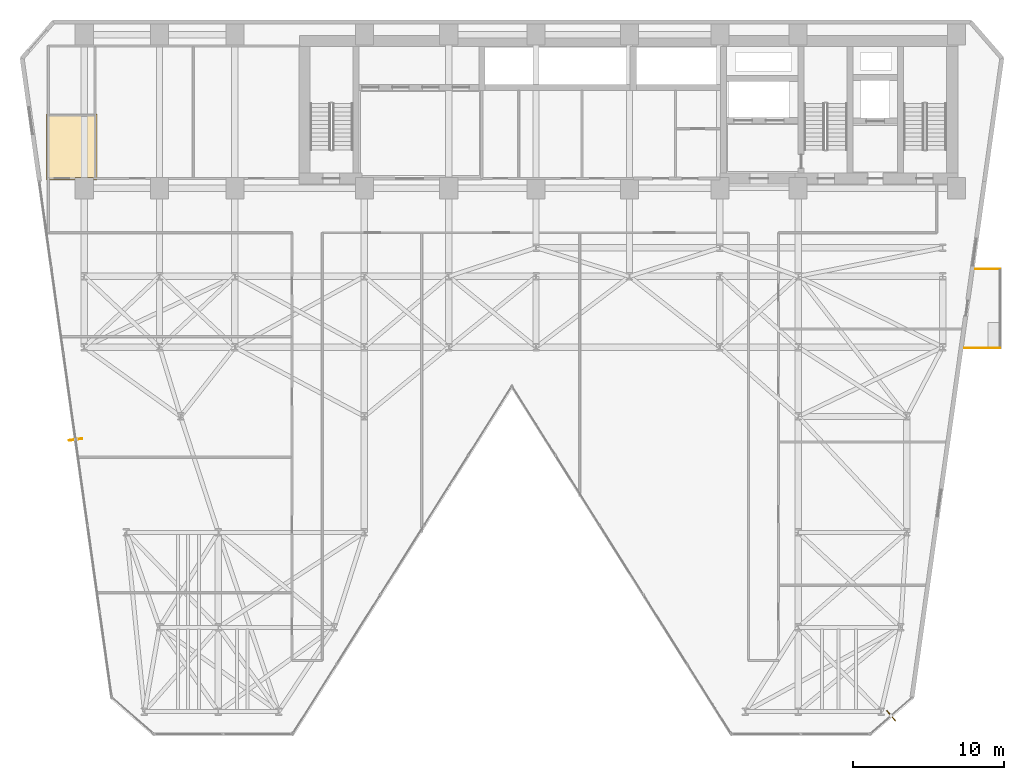
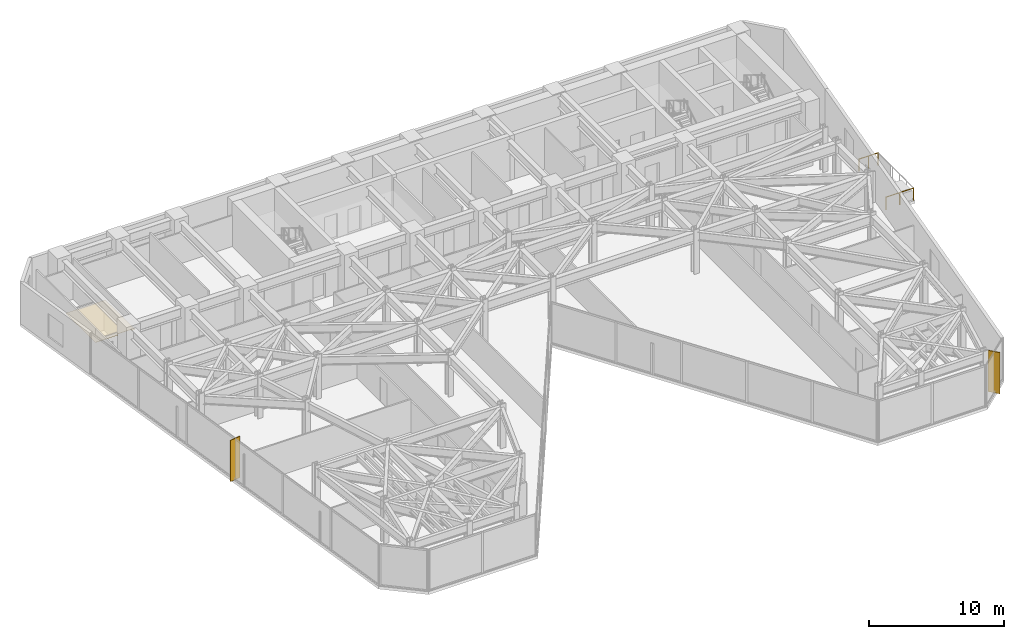
# One storey, part 23 of 25: 2 railings, 2 shading devices, 1 covering.
"""IFC4 building model written with IfcOpenShell, lengths in metres."""

import ifcopenshell
import ifcopenshell.guid

model = None  # the IFC model being written
_history = None  # IfcOwnerHistory: only IFC2X3 demands one
_inside = {}  # id of a spatial element -> (the spatial element, [elements in it])
_under = {}  # id of a project, library or spatial element -> (it, [spatial elements below it])
_declared = {}  # id of a project -> (the project, [libraries it declares])
_typed = {}  # id of a type object -> (the type object, [elements of that type])
_made_of = {}  # id of a material, layer set ... -> (it, [elements and type objects made of it])


def new_model(schema):
    """Start an empty IFC model of exactly this schema.

    Asked for "IFC4X3", IfcOpenShell would pick the latest addendum, in which some entities
    have other attributes; the version numbers below select the first issue.
    IFC2X3 requires an IfcOwnerHistory on every rooted entity: one is made here for all.
    """
    global model, _history
    if schema == "IFC4X3":
        model = ifcopenshell.file(schema_version=(4, 3, 0, 0))
    else:
        model = ifcopenshell.file(schema=schema)
    _inside.clear()
    _under.clear()
    _declared.clear()
    _typed.clear()
    _made_of.clear()
    _history = None
    if model.schema == "IFC2X3":
        org = make("IfcOrganization", Name="unknown")
        user = make(
            "IfcPersonAndOrganization",
            ThePerson=make("IfcPerson", FamilyName="unknown"),
            TheOrganization=org,
        )
        app = make(
            "IfcApplication",
            ApplicationDeveloper=org,
            Version="unknown",
            ApplicationFullName="unknown",
            ApplicationIdentifier="unknown",
        )
        _history = make(
            "IfcOwnerHistory",
            OwningUser=user,
            OwningApplication=app,
            ChangeAction="ADDED",
            CreationDate=0,
        )
    return model


def make(cls, **values):
    """One entity of the class cls with the attributes given. An attribute that is None is left unset."""
    return model.create_entity(
        cls, **{name: value for name, value in values.items() if value is not None}
    )


def rooted(cls, **values):
    """An entity with a GlobalId (a new one), such as an element, a storey or a relation."""
    return make(cls, GlobalId=ifcopenshell.guid.new(), OwnerHistory=_history, **values)


def si_unit(unit_type, name, prefix=None):
    """IfcSIUnit, for example si_unit("LENGTHUNIT", "METRE", prefix="MILLI")."""
    return make("IfcSIUnit", UnitType=unit_type, Prefix=prefix, Name=name)


def assignment(units):
    """IfcUnitAssignment: the units of a project."""
    return None if units is None else make("IfcUnitAssignment", Units=units)


def point(xyz):
    """IfcCartesianPoint."""
    return None if xyz is None else make("IfcCartesianPoint", Coordinates=xyz)


def direction(xyz):
    """IfcDirection."""
    return None if xyz is None else make("IfcDirection", DirectionRatios=xyz)


def frame(location, z_axis=None, x_axis=None):
    """IfcAxis2Placement3D, a coordinate frame: its origin and axes. An axis left out is left unset."""
    return make(
        "IfcAxis2Placement3D",
        Location=point(location),
        Axis=direction(z_axis),
        RefDirection=direction(x_axis),
    )


def frame_2d(location, x_axis=None):
    """IfcAxis2Placement2D, a coordinate frame in the plane: its origin and x axis."""
    return make(
        "IfcAxis2Placement2D", Location=point(location), RefDirection=direction(x_axis)
    )


def origin():
    """The frame at (0, 0, 0) with its axes left unset."""
    return frame((0.0, 0.0, 0.0))


def origin_2d():
    """The frame at (0, 0) in the plane with its x axis left unset."""
    return frame_2d((0.0, 0.0))


def place(relative_to, where):
    """IfcLocalPlacement: puts the frame where relative to a parent placement (None: the world)."""
    return make(
        "IfcLocalPlacement", PlacementRelTo=relative_to, RelativePlacement=where
    )


def context(
    kind, dimensions, precision=None, world=None, true_north=None, identifier=None
):
    """IfcGeometricRepresentationContext, for example the 3D "Model" context."""
    return make(
        "IfcGeometricRepresentationContext",
        ContextIdentifier=identifier,
        ContextType=kind,
        CoordinateSpaceDimension=dimensions,
        Precision=precision,
        WorldCoordinateSystem=world,
        TrueNorth=true_north,
    )


def subcontext(parent, identifier, kind, view, scale=None):
    """IfcGeometricRepresentationSubContext, for example "Body" below "Model"."""
    return make(
        "IfcGeometricRepresentationSubContext",
        ContextIdentifier=identifier,
        ContextType=kind,
        ParentContext=parent,
        TargetScale=scale,
        TargetView=view,
    )


def project(units=None, contexts=None):
    """IfcProject with its units and contexts."""
    return rooted(
        "IfcProject",
        Name="project",
        RepresentationContexts=contexts,
        UnitsInContext=assignment(units),
    )


def spatial(cls, under=None, at=None, **own):
    """A site, building, storey or space (cls), placed at a placement, below another one or the project."""
    s = rooted(cls, ObjectPlacement=at, **own)
    if under is not None:
        _under.setdefault(under.id(), (under, []))[1].append(s)
    return s


def polyline(points):
    """IfcPolyline through the points."""
    return make("IfcPolyline", Points=[point(p) for p in points])


def profile(cls, at=None, kind="AREA", **sizes):
    """A parametric profile (cls). Its sizes go by their IFC names, for example OverallWidth=200.0."""
    return make(cls, ProfileType=kind, Position=at, **sizes)


def rectangle(**sizes):
    """IfcRectangleProfileDef."""
    return profile("IfcRectangleProfileDef", **sizes)


def circle(**sizes):
    """IfcCircleProfileDef."""
    return profile("IfcCircleProfileDef", **sizes)


def outline(outer, holes=None, kind="AREA"):
    """IfcArbitraryClosedProfileDef: a profile drawn as a closed curve; with holes, ...WithVoids."""
    if holes is None:
        return make("IfcArbitraryClosedProfileDef", ProfileType=kind, OuterCurve=outer)
    return make(
        "IfcArbitraryProfileDefWithVoids",
        ProfileType=kind,
        OuterCurve=outer,
        InnerCurves=holes,
    )


def extrude(swept, where, along, depth):
    """IfcExtrudedAreaSolid: the profile swept, set in the frame where, extruded along a direction by depth."""
    return make(
        "IfcExtrudedAreaSolid",
        SweptArea=swept,
        Position=where,
        ExtrudedDirection=direction(along),
        Depth=depth,
    )


def shape(context_of_items, identifier, shape_type, items):
    """IfcShapeRepresentation: the items that make up one representation, for example the "Body"."""
    return make(
        "IfcShapeRepresentation",
        ContextOfItems=context_of_items,
        RepresentationIdentifier=identifier,
        RepresentationType=shape_type,
        Items=items,
    )


def material(Name=None, Category=None):
    """IfcMaterial."""
    return make("IfcMaterial", Name=Name, Category=Category)


def layer(
    of_material, thickness, ventilated=None, Name=None, Category=None, Priority=None
):
    """IfcMaterialLayer: one layer of a wall or slab, of a material (None: an air gap)."""
    return make(
        "IfcMaterialLayer",
        Material=of_material,
        LayerThickness=thickness,
        IsVentilated=ventilated,
        Name=Name,
        Category=Category,
        Priority=Priority,
    )


def layer_set(layers, Name=None):
    """IfcMaterialLayerSet."""
    return make("IfcMaterialLayerSet", MaterialLayers=layers, LayerSetName=Name)


def made_of(thing, what):
    """Note that an element or type object is made of a material, layer set ...; save() writes the relation."""
    if what is not None:
        _made_of.setdefault(what.id(), (what, []))[1].append(thing)
    return thing


def type_object(cls, material=None, **own):
    """A type object (cls), such as IfcWallType, which elements share."""
    return made_of(rooted(cls, **own), material)


def element(
    cls,
    number,
    at=None,
    inside=None,
    cuts=None,
    type_object=None,
    material=None,
    context=None,
    identifier="Body",
    shape_type=None,
    held_by="IfcProductDefinitionShape",
    body=None,
    shapes=None,
    **own,
):
    """One element of the class cls, such as IfcWall. Its Tag is "e" and its number.

    at: its placement. inside: the storey or other place that contains it. cuts: it is an
    opening in that element (IfcRelVoidsElement). A single representation is given by context,
    identifier, shape_type and body (its items); several are given by shapes. held_by: the class
    of the entity that holds the representations. save() writes the other relations.
    """
    e = rooted(cls, Tag="e%d" % number, ObjectPlacement=at, **own)
    if body is not None:
        shapes = [shape(context, identifier, shape_type, body)]
    if shapes is not None:
        e.Representation = make(held_by, Representations=shapes)
    if inside is not None:
        _inside.setdefault(inside.id(), (inside, []))[1].append(e)
    if cuts is not None:
        rooted(
            "IfcRelVoidsElement", RelatingBuildingElement=cuts, RelatedOpeningElement=e
        )
    if type_object is not None:
        _typed.setdefault(type_object.id(), (type_object, []))[1].append(e)
    return made_of(e, material)


def aggregate(whole, parts):
    """IfcRelAggregates: a whole, such as a stair, and the parts it consists of."""
    return rooted("IfcRelAggregates", RelatingObject=whole, RelatedObjects=parts)


def save(model, path):
    """Write the relations noted so far, then the file.

    IfcRelAggregates (storeys below a building ...), IfcRelContainedInSpatialStructure (elements
    in a storey), IfcRelDefinesByType, IfcRelAssociatesMaterial and IfcRelDeclares: one each for
    every whole, place, type object, material and project.
    """
    for whole, parts in _under.values():
        aggregate(whole, parts)
    for where, things in _inside.values():
        rooted(
            "IfcRelContainedInSpatialStructure",
            RelatedElements=things,
            RelatingStructure=where,
        )
    for kind, things in _typed.values():
        rooted("IfcRelDefinesByType", RelatedObjects=things, RelatingType=kind)
    for what, things in _made_of.values():
        rooted("IfcRelAssociatesMaterial", RelatedObjects=things, RelatingMaterial=what)
    for by, libraries in _declared.values():
        rooted("IfcRelDeclares", RelatingContext=by, RelatedDefinitions=libraries)
    model.write(path)


model = new_model("IFC4")

# Units and contexts
model_context = context("Model", 3, precision=1e-05, world=origin(), true_north=direction((0.0, 1.0)))
body_context = subcontext(model_context, "Body", "Model", "MODEL_VIEW")
ifc_project = project(units=[si_unit("LENGTHUNIT", "METRE"), si_unit("AREAUNIT", "SQUARE_METRE"), si_unit("VOLUMEUNIT", "CUBIC_METRE"), si_unit("PLANEANGLEUNIT", "RADIAN"), si_unit("MASSUNIT", "GRAM", prefix="KILO")], contexts=[model_context])

# Site, building, storey
site_placement = place(None, origin())
site = spatial("IfcSite", under=ifc_project, at=site_placement, CompositionType="ELEMENT")
building_placement = place(site_placement, origin())
building = spatial("IfcBuilding", under=site, at=building_placement, Name="Kravanh Interchange Tower", CompositionType="ELEMENT")
storey_placement = place(building_placement, frame((0.0, 0.0, 81.5)))
storey = spatial("IfcBuildingStorey", under=building, at=storey_placement, Name="L19", CompositionType="ELEMENT", Elevation=81.5)

# Covering
ifc_material_1 = material(Name="Acoustic Mineral Fibre Tile on Aluminium Grid", Category="aluminium")
ifc_layer_1 = layer(ifc_material_1, 0.02490234375)
ifc_layer_set_1 = layer_set([ifc_layer_1], Name="Perforated Acoustic Mineral Ceiling 25mm")
covering_type = type_object("IfcCoveringType", Name="Perforated Acoustic Mineral Ceiling 25mm", PredefinedType="CEILING", material=ifc_layer_set_1)
covering_placement = place(storey_placement, frame((0.0, 0.0, 2.550048828125)))
element("IfcCovering", 1, at=covering_placement, inside=storey, type_object=covering_type, Name="L19 Accessible WC Suspended Ceiling", PredefinedType="CEILING", context=body_context, shape_type="SweptSolid", body=[
    extrude(outline(polyline([(9.4599609375, 42.280029296875), (9.4599609375, 37.909912109375), (9.199951171875, 37.909912109375), (9.199951171875, 38.050048828125), (8.0, 38.050048828125), (8.0, 37.909912109375), (6.080078125, 37.909912109375), (6.080078125, 42.280029296875), (9.4599609375, 42.280029296875)])), origin(), (0.0, 0.0, 1.0), 0.02490234375),
])

# Railings
ifc_material_2 = material(Name="Stainless Steel 316", Category="steel")
ifc_layer_2 = layer(ifc_material_2, 0.06005859375)
ifc_layer_set_2 = layer_set([ifc_layer_2], Name="Perimeter Balcony and Terrace Guardrail Stainless 316 1120mm")
railing_type = type_object("IfcRailingType", Name="Perimeter Balcony and Terrace Guardrail Stainless 316 1120mm", PredefinedType="GUARDRAIL", material=ifc_layer_set_2)
railing_1_placement = place(storey_placement, frame((69.409912109375, 26.75, 0.0)))
element("IfcRailing", 2, at=railing_1_placement, inside=storey, type_object=railing_type, Name="L19 E Balcony Guardrail 2", PredefinedType="GUARDRAIL", context=body_context, shape_type="SweptSolid", body=[
    extrude(circle(Radius=0.02392578125, at=origin_2d()), frame((0.0, 0.0, 1.09619140625), z_axis=(-1.0, 0.0, 0.0), x_axis=(0.0, -1.0, 0.0)), (0.0, 0.0, 1.0), 2.370849609375),
    extrude(circle(Radius=0.02099609375, at=origin_2d()), origin(), (0.0, 0.0, 1.0), 1.072021484375),
    extrude(circle(Radius=0.02099609375, at=origin_2d()), frame((-1.185546875, 0.0, 0.0)), (0.0, 0.0, 1.0), 1.072021484375),
    extrude(circle(Radius=0.02099609375, at=origin_2d()), frame((-2.370849609375, 0.0, 0.0)), (0.0, 0.0, 1.0), 1.072021484375),
])
railing_2_placement = place(storey_placement, frame((67.775634765625, 31.989990234375, 0.0)))
element("IfcRailing", 3, at=railing_2_placement, inside=storey, type_object=railing_type, Name="L19 E Balcony Guardrail 3", PredefinedType="GUARDRAIL", context=body_context, shape_type="SweptSolid", body=[
    extrude(circle(Radius=0.02392578125, at=origin_2d()), frame((0.0, 0.0, 1.09619140625), z_axis=(1.0, 0.0, 0.0), x_axis=(0.0, 1.0, 0.0)), (0.0, 0.0, 1.0), 1.63427734375),
    extrude(circle(Radius=0.02099609375, at=origin_2d()), origin(), (0.0, 0.0, 1.0), 1.072021484375),
    extrude(circle(Radius=0.02099609375, at=origin_2d()), frame((0.817138671875, 0.0, 0.0)), (0.0, 0.0, 1.0), 1.072021484375),
    extrude(circle(Radius=0.02099609375, at=origin_2d()), frame((1.63427734375, 0.0, 0.0)), (0.0, 0.0, 1.0), 1.072021484375),
])

# Shading devices
ifc_material_3 = material(Name="Anodised Champagne Bronze Aluminium", Category="aluminium")
ifc_layer_3 = layer(ifc_material_3, 0.06005859375)
ifc_layer_set_3 = layer_set([ifc_layer_3], Name="Vertical Bronze Solar Fin 900mm")
shading_device_type = type_object("IfcShadingDeviceType", Name="Vertical Bronze Solar Fin 900mm", PredefinedType="USERDEFINED", material=ifc_layer_set_3)
for number, where, z_axis, x_axis, name in (
    (4, (8.03271484375, 20.66845703125, 0.0), (0.0, 0.0, 1.0), (-0.990267798532, -0.139175023587, 0.0), "L19 BRONZE SOLAR FIN 1"),
    (5, (62.16943359375, 2.328369140625, 0.0), (0.0, 0.0, 1.0), (0.656067828783, -0.754701930589, 0.0), "L19 BRONZE SOLAR FIN 2"),
):
    element("IfcShadingDevice", number, at=place(storey_placement, frame(where, z_axis=z_axis, x_axis=x_axis)), inside=storey, type_object=shading_device_type, Name=name, ObjectType="FIN", PredefinedType="USERDEFINED", context=body_context, shape_type="SweptSolid", body=[
        extrude(rectangle(XDim=0.89990234375, YDim=0.06005859375, at=origin_2d()), origin(), (0.0, 0.0, 1.0), 3.719970703125),
    ])

save(model, "model.ifc")
